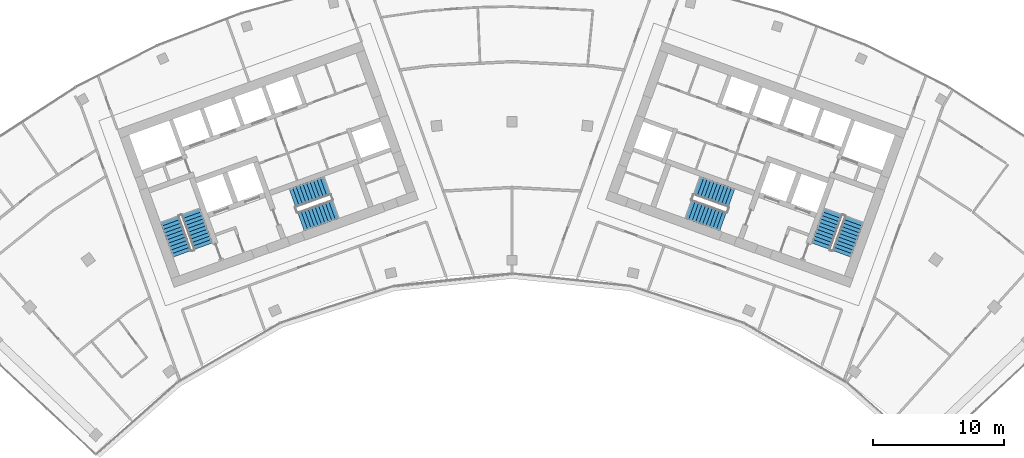
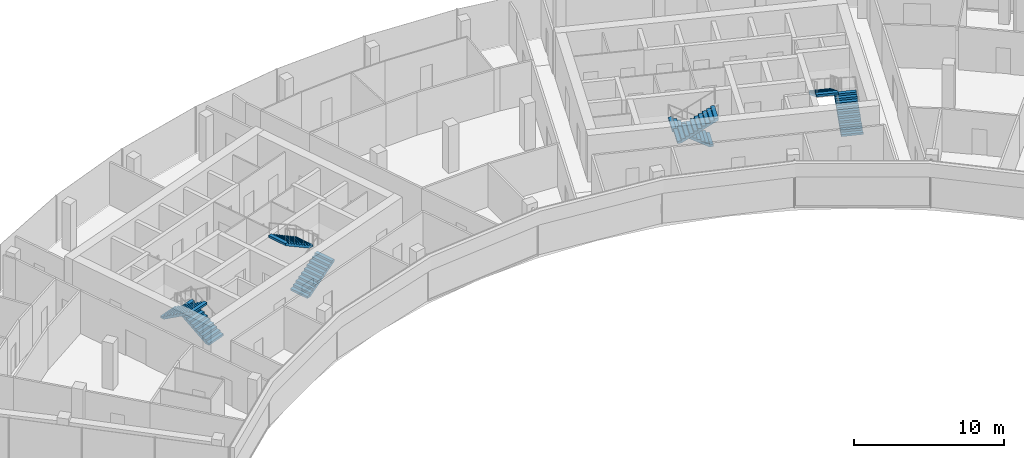
# One storey, part 17 of 18: 8 stair flights, 4 elements without a shape of their own.
"""IFC4 building model written with IfcOpenShell, lengths in metres."""

from ifc_helpers import new_model, si_unit, direction, frame, origin, place, context, subcontext, project, spatial, polyline, outline, extrude, material, type_object, element, aggregate, save


model = new_model("IFC4")

# Units and contexts
model_context = context("Model", 3, precision=1e-05, world=origin(), true_north=direction((0.0, 1.0)))
body_context = subcontext(model_context, "Body", "Model", "MODEL_VIEW")
ifc_project = project(units=[si_unit("LENGTHUNIT", "METRE"), si_unit("AREAUNIT", "SQUARE_METRE"), si_unit("VOLUMEUNIT", "CUBIC_METRE"), si_unit("PLANEANGLEUNIT", "RADIAN"), si_unit("MASSUNIT", "GRAM", prefix="KILO")], contexts=[model_context])

# Site, building, storey
site_placement = place(None, origin())
site = spatial("IfcSite", under=ifc_project, at=site_placement, CompositionType="ELEMENT")
building_placement = place(site_placement, origin())
building = spatial("IfcBuilding", under=site, at=building_placement, Name="Stone Belt Terrace Tower", CompositionType="ELEMENT")
storey_placement = place(building_placement, frame((0.0, 0.0, 265.60009765625)))
storey = spatial("IfcBuildingStorey", under=building, at=storey_placement, Name="L64", CompositionType="ELEMENT", Elevation=265.60009765625)

# Stair, stair flights
ifc_material = material(Name="Concrete B40", Category="concrete")
stair_type = type_object("IfcStairType", Name="Exit stair 1500", PredefinedType="HALF_TURN_STAIR", material=ifc_material)
stair_1_placement = place(storey_placement, origin())
stair_1 = element("IfcStair", 1, at=stair_1_placement, inside=storey, type_object=stair_type, Name="L64 Exit stair 1 core A", PredefinedType="HALF_TURN_STAIR")
stair_flight_type = type_object("IfcStairFlightType", Name="Stair flight 1500", PredefinedType="STRAIGHT", material=ifc_material)
stair_flight_1_placement = place(storey_placement, frame((-23.55322265625, 45.51318359375, 0.0), z_axis=(0.0, 0.0, 1.0), x_axis=(-0.338624396177, 0.940921632398, 0.0)))
stair_flight_1 = element("IfcStairFlight", 2, at=stair_flight_1_placement, type_object=stair_flight_type, Name="ST1A flight 1", NumberOfRisers=11, NumberOfTreads=10, PredefinedType="STRAIGHT", RiserHeight=0.172727273, TreadLength=0.28, context=body_context, shape_type="SweptSolid", body=[
    extrude(outline(polyline([(0.0, 0.0), (0.0, 0.172607421875), (0.280029296875, 0.172607421875), (0.280029296875, 0.345458984375), (0.56005859375, 0.345458984375), (0.56005859375, 0.51806640625), (0.840087890625, 0.51806640625), (0.840087890625, 0.69091796875), (1.1201171875, 0.69091796875), (1.1201171875, 0.863525390625), (1.39990234375, 0.863525390625), (1.39990234375, 1.036376953125), (1.679931640625, 1.036376953125), (1.679931640625, 1.208984375), (1.9599609375, 1.208984375), (1.9599609375, 1.3818359375), (2.239990234375, 1.3818359375), (2.239990234375, 1.554443359375), (2.52001953125, 1.554443359375), (2.52001953125, 1.727294921875), (2.800048828125, 1.727294921875), (2.800048828125, 1.89990234375), (2.800048828125, 1.551025390625), (0.285400390625, 0.0), (0.0, 0.0)])), frame((0.0, 0.75, 0.0), z_axis=(0.0, -1.0, 0.0), x_axis=(1.0, 0.0, 0.0)), (0.0, 0.0, 1.0), 1.5),
])
stair_flight_2_placement = place(storey_placement, frame((-26.10107421875, 47.572021484375, 1.89990234375), z_axis=(0.0, 0.0, 1.0), x_axis=(0.338624396177, -0.940921632398, 0.0)))
stair_flight_2 = element("IfcStairFlight", 3, at=stair_flight_2_placement, type_object=stair_flight_type, Name="ST1A flight 2", NumberOfRisers=11, NumberOfTreads=10, PredefinedType="STRAIGHT", RiserHeight=0.172727273, TreadLength=0.28, context=body_context, shape_type="SweptSolid", body=[
    extrude(outline(polyline([(0.0, 0.0), (0.0, 0.172607421875), (0.280029296875, 0.172607421875), (0.280029296875, 0.345458984375), (0.56005859375, 0.345458984375), (0.56005859375, 0.51806640625), (0.840087890625, 0.51806640625), (0.840087890625, 0.69091796875), (1.1201171875, 0.69091796875), (1.1201171875, 0.863525390625), (1.39990234375, 0.863525390625), (1.39990234375, 1.036376953125), (1.679931640625, 1.036376953125), (1.679931640625, 1.208984375), (1.9599609375, 1.208984375), (1.9599609375, 1.3818359375), (2.239990234375, 1.3818359375), (2.239990234375, 1.554443359375), (2.52001953125, 1.554443359375), (2.52001953125, 1.727294921875), (2.800048828125, 1.727294921875), (2.800048828125, 1.89990234375), (2.800048828125, 1.551025390625), (0.285400390625, 0.0), (0.0, 0.0)])), frame((0.0, 0.75, 0.0), z_axis=(0.0, -1.0, 0.0), x_axis=(1.0, 0.0, 0.0)), (0.0, 0.0, 1.0), 1.5),
])
aggregate(stair_1, [stair_flight_1, stair_flight_2])

stair_2_placement = place(storey_placement, origin())
stair_2 = element("IfcStair", 4, at=stair_2_placement, inside=storey, type_object=stair_type, Name="L64 Exit stair 2 core A", PredefinedType="HALF_TURN_STAIR")
stair_flight_3_placement = place(storey_placement, frame((-16.101318359375, 47.39794921875, 0.0), z_axis=(0.0, 0.0, 1.0), x_axis=(0.940921632398, 0.338624396177, 0.0)))
stair_flight_3 = element("IfcStairFlight", 5, at=stair_flight_3_placement, type_object=stair_flight_type, Name="ST2A flight 1", NumberOfRisers=11, NumberOfTreads=10, PredefinedType="STRAIGHT", RiserHeight=0.172727273, TreadLength=0.28, context=body_context, shape_type="SweptSolid", body=[
    extrude(outline(polyline([(0.0, 0.0), (0.0, 0.172607421875), (0.280029296875, 0.172607421875), (0.280029296875, 0.345458984375), (0.56005859375, 0.345458984375), (0.56005859375, 0.51806640625), (0.840087890625, 0.51806640625), (0.840087890625, 0.69091796875), (1.1201171875, 0.69091796875), (1.1201171875, 0.863525390625), (1.39990234375, 0.863525390625), (1.39990234375, 1.036376953125), (1.679931640625, 1.036376953125), (1.679931640625, 1.208984375), (1.9599609375, 1.208984375), (1.9599609375, 1.3818359375), (2.239990234375, 1.3818359375), (2.239990234375, 1.554443359375), (2.52001953125, 1.554443359375), (2.52001953125, 1.727294921875), (2.800048828125, 1.727294921875), (2.800048828125, 1.89990234375), (2.800048828125, 1.551025390625), (0.285400390625, 0.0), (0.0, 0.0)])), frame((0.0, 0.75, 0.0), z_axis=(0.0, -1.0, 0.0), x_axis=(1.0, 0.0, 0.0)), (0.0, 0.0, 1.0), 1.5),
])
stair_flight_4_placement = place(storey_placement, frame((-14.110107421875, 50.1337890625, 1.89990234375), z_axis=(0.0, 0.0, 1.0), x_axis=(-0.940921632398, -0.338624396177, 0.0)))
stair_flight_4 = element("IfcStairFlight", 6, at=stair_flight_4_placement, type_object=stair_flight_type, Name="ST2A flight 2", NumberOfRisers=11, NumberOfTreads=10, PredefinedType="STRAIGHT", RiserHeight=0.172727273, TreadLength=0.28, context=body_context, shape_type="SweptSolid", body=[
    extrude(outline(polyline([(0.0, 0.0), (0.0, 0.172607421875), (0.280029296875, 0.172607421875), (0.280029296875, 0.345458984375), (0.56005859375, 0.345458984375), (0.56005859375, 0.51806640625), (0.840087890625, 0.51806640625), (0.840087890625, 0.69091796875), (1.1201171875, 0.69091796875), (1.1201171875, 0.863525390625), (1.39990234375, 0.863525390625), (1.39990234375, 1.036376953125), (1.679931640625, 1.036376953125), (1.679931640625, 1.208984375), (1.9599609375, 1.208984375), (1.9599609375, 1.3818359375), (2.239990234375, 1.3818359375), (2.239990234375, 1.554443359375), (2.52001953125, 1.554443359375), (2.52001953125, 1.727294921875), (2.800048828125, 1.727294921875), (2.800048828125, 1.89990234375), (2.800048828125, 1.551025390625), (0.285400390625, 0.0), (0.0, 0.0)])), frame((0.0, 0.75, 0.0), z_axis=(0.0, -1.0, 0.0), x_axis=(1.0, 0.0, 0.0)), (0.0, 0.0, 1.0), 1.5),
])
aggregate(stair_2, [stair_flight_3, stair_flight_4])

stair_3_placement = place(storey_placement, origin())
stair_3 = element("IfcStair", 7, at=stair_3_placement, inside=storey, type_object=stair_type, Name="L64 Exit stair 1 core B", PredefinedType="HALF_TURN_STAIR")
stair_flight_5_placement = place(storey_placement, frame((25.15283203125, 44.9375, 0.0), z_axis=(0.0, 0.0, 1.0), x_axis=(0.338624396177, 0.940921632398, 0.0)))
stair_flight_5 = element("IfcStairFlight", 8, at=stair_flight_5_placement, type_object=stair_flight_type, Name="ST1B flight 1", NumberOfRisers=11, NumberOfTreads=10, PredefinedType="STRAIGHT", RiserHeight=0.172727273, TreadLength=0.28, context=body_context, shape_type="SweptSolid", body=[
    extrude(outline(polyline([(0.0, 0.0), (0.0, 0.172607421875), (0.280029296875, 0.172607421875), (0.280029296875, 0.345458984375), (0.56005859375, 0.345458984375), (0.56005859375, 0.51806640625), (0.840087890625, 0.51806640625), (0.840087890625, 0.69091796875), (1.1201171875, 0.69091796875), (1.1201171875, 0.863525390625), (1.39990234375, 0.863525390625), (1.39990234375, 1.036376953125), (1.679931640625, 1.036376953125), (1.679931640625, 1.208984375), (1.9599609375, 1.208984375), (1.9599609375, 1.3818359375), (2.239990234375, 1.3818359375), (2.239990234375, 1.554443359375), (2.52001953125, 1.554443359375), (2.52001953125, 1.727294921875), (2.800048828125, 1.727294921875), (2.800048828125, 1.89990234375), (2.800048828125, 1.551025390625), (0.285400390625, 0.0), (0.0, 0.0)])), frame((0.0, 0.75, 0.0), z_axis=(0.0, -1.0, 0.0), x_axis=(1.0, 0.0, 0.0)), (0.0, 0.0, 1.0), 1.5),
])
stair_flight_6_placement = place(storey_placement, frame((24.50146484375, 48.147705078125, 1.89990234375), z_axis=(0.0, 0.0, 1.0), x_axis=(-0.338624396177, -0.940921632398, 0.0)))
stair_flight_6 = element("IfcStairFlight", 9, at=stair_flight_6_placement, type_object=stair_flight_type, Name="ST1B flight 2", NumberOfRisers=11, NumberOfTreads=10, PredefinedType="STRAIGHT", RiserHeight=0.172727273, TreadLength=0.28, context=body_context, shape_type="SweptSolid", body=[
    extrude(outline(polyline([(0.0, 0.0), (0.0, 0.172607421875), (0.280029296875, 0.172607421875), (0.280029296875, 0.345458984375), (0.56005859375, 0.345458984375), (0.56005859375, 0.51806640625), (0.840087890625, 0.51806640625), (0.840087890625, 0.69091796875), (1.1201171875, 0.69091796875), (1.1201171875, 0.863525390625), (1.39990234375, 0.863525390625), (1.39990234375, 1.036376953125), (1.679931640625, 1.036376953125), (1.679931640625, 1.208984375), (1.9599609375, 1.208984375), (1.9599609375, 1.3818359375), (2.239990234375, 1.3818359375), (2.239990234375, 1.554443359375), (2.52001953125, 1.554443359375), (2.52001953125, 1.727294921875), (2.800048828125, 1.727294921875), (2.800048828125, 1.89990234375), (2.800048828125, 1.551025390625), (0.285400390625, 0.0), (0.0, 0.0)])), frame((0.0, 0.75, 0.0), z_axis=(0.0, -1.0, 0.0), x_axis=(1.0, 0.0, 0.0)), (0.0, 0.0, 1.0), 1.5),
])
aggregate(stair_3, [stair_flight_5, stair_flight_6])

stair_4_placement = place(storey_placement, origin())
stair_4 = element("IfcStair", 10, at=stair_4_placement, inside=storey, type_object=stair_type, Name="L64 Exit stair 2 core B", PredefinedType="HALF_TURN_STAIR")
stair_flight_7_placement = place(storey_placement, frame((16.74462890625, 49.185546875, 0.0), z_axis=(0.0, 0.0, 1.0), x_axis=(-0.940921632398, 0.338624396177, 0.0)))
stair_flight_7 = element("IfcStairFlight", 11, at=stair_flight_7_placement, type_object=stair_flight_type, Name="ST2B flight 1", NumberOfRisers=11, NumberOfTreads=10, PredefinedType="STRAIGHT", RiserHeight=0.172727273, TreadLength=0.28, context=body_context, shape_type="SweptSolid", body=[
    extrude(outline(polyline([(0.0, 0.0), (0.0, 0.172607421875), (0.280029296875, 0.172607421875), (0.280029296875, 0.345458984375), (0.56005859375, 0.345458984375), (0.56005859375, 0.51806640625), (0.840087890625, 0.51806640625), (0.840087890625, 0.69091796875), (1.1201171875, 0.69091796875), (1.1201171875, 0.863525390625), (1.39990234375, 0.863525390625), (1.39990234375, 1.036376953125), (1.679931640625, 1.036376953125), (1.679931640625, 1.208984375), (1.9599609375, 1.208984375), (1.9599609375, 1.3818359375), (2.239990234375, 1.3818359375), (2.239990234375, 1.554443359375), (2.52001953125, 1.554443359375), (2.52001953125, 1.727294921875), (2.800048828125, 1.727294921875), (2.800048828125, 1.89990234375), (2.800048828125, 1.551025390625), (0.285400390625, 0.0), (0.0, 0.0)])), frame((0.0, 0.75, 0.0), z_axis=(0.0, -1.0, 0.0), x_axis=(1.0, 0.0, 0.0)), (0.0, 0.0, 1.0), 1.5),
])
stair_flight_8_placement = place(storey_placement, frame((13.466796875, 48.345947265625, 1.89990234375), z_axis=(0.0, 0.0, 1.0), x_axis=(0.940921632398, -0.338624396177, 0.0)))
stair_flight_8 = element("IfcStairFlight", 12, at=stair_flight_8_placement, type_object=stair_flight_type, Name="ST2B flight 2", NumberOfRisers=11, NumberOfTreads=10, PredefinedType="STRAIGHT", RiserHeight=0.172727273, TreadLength=0.28, context=body_context, shape_type="SweptSolid", body=[
    extrude(outline(polyline([(0.0, 0.0), (0.0, 0.172607421875), (0.280029296875, 0.172607421875), (0.280029296875, 0.345458984375), (0.56005859375, 0.345458984375), (0.56005859375, 0.51806640625), (0.840087890625, 0.51806640625), (0.840087890625, 0.69091796875), (1.1201171875, 0.69091796875), (1.1201171875, 0.863525390625), (1.39990234375, 0.863525390625), (1.39990234375, 1.036376953125), (1.679931640625, 1.036376953125), (1.679931640625, 1.208984375), (1.9599609375, 1.208984375), (1.9599609375, 1.3818359375), (2.239990234375, 1.3818359375), (2.239990234375, 1.554443359375), (2.52001953125, 1.554443359375), (2.52001953125, 1.727294921875), (2.800048828125, 1.727294921875), (2.800048828125, 1.89990234375), (2.800048828125, 1.551025390625), (0.285400390625, 0.0), (0.0, 0.0)])), frame((0.0, 0.75, 0.0), z_axis=(0.0, -1.0, 0.0), x_axis=(1.0, 0.0, 0.0)), (0.0, 0.0, 1.0), 1.5),
])
aggregate(stair_4, [stair_flight_7, stair_flight_8])

save(model, "model.ifc")
